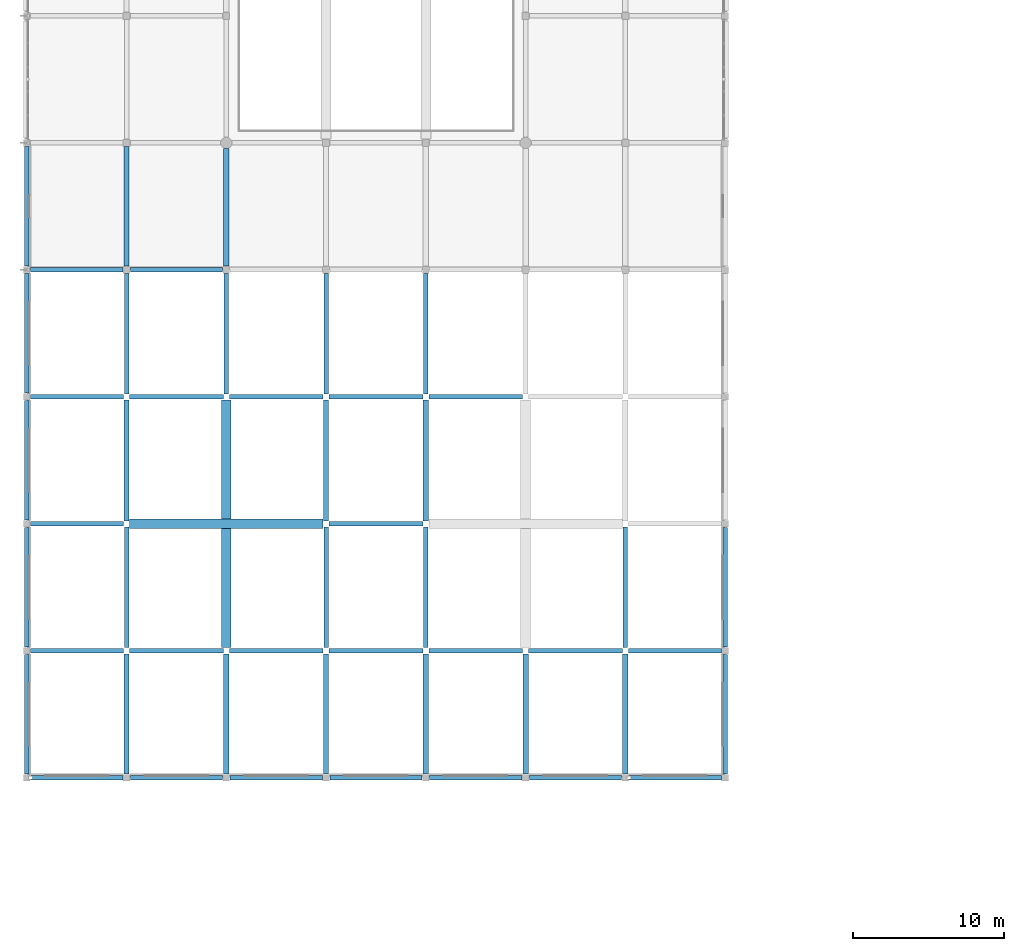
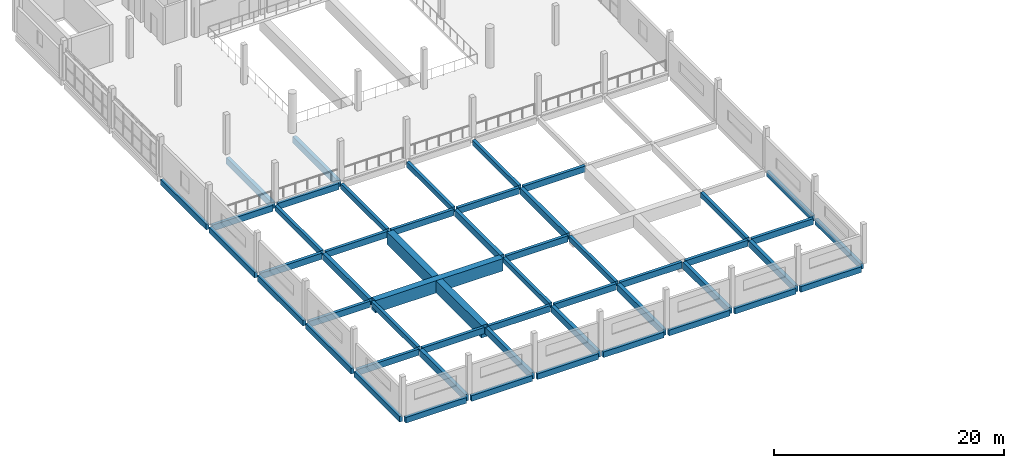
# One storey, part 3 of 74: 51 beams.
"""IFC4 building model written with IfcOpenShell, lengths in metres."""

from ifc_helpers import new_model, si_unit, direction, frame, origin, origin_2d, place, context, subcontext, project, spatial, rectangle, extrude, material, material_profile, profile_set, type_object, element, save


model = new_model("IFC4")

# Units and contexts
model_context = context("Model", 3, precision=1e-05, world=origin(), true_north=direction((0.0, 1.0)))
body_context = subcontext(model_context, "Body", "Model", "MODEL_VIEW")
ifc_project = project(units=[si_unit("LENGTHUNIT", "METRE"), si_unit("AREAUNIT", "SQUARE_METRE"), si_unit("VOLUMEUNIT", "CUBIC_METRE"), si_unit("PLANEANGLEUNIT", "RADIAN"), si_unit("MASSUNIT", "GRAM", prefix="KILO")], contexts=[model_context])

# Site, building, storey
site_placement = place(None, origin())
site = spatial("IfcSite", under=ifc_project, at=site_placement, CompositionType="ELEMENT")
building_placement = place(site_placement, origin())
building = spatial("IfcBuilding", under=site, at=building_placement, Name="Qaldarim Faculty of Natural and Applied Sciences", CompositionType="ELEMENT")
storey_placement = place(building_placement, frame((0.0, 0.0, 14.39990234375)))
storey = spatial("IfcBuildingStorey", under=building, at=storey_placement, Name="L03", CompositionType="ELEMENT", Elevation=14.39990234375)

# Beams
ifc_material_1 = material(Name="Concrete C40/50", Category="concrete")
ifc_material_profile_1 = material_profile(ifc_material_1, rectangle(XDim=0.300048828125, YDim=0.550048828125, at=origin_2d()), Name="RC-B300x550")
ifc_profile_set_1 = profile_set([ifc_material_profile_1], Name="Concrete C40/50")
beam_type_1 = type_object("IfcBeamType", Name="FloorBeam-RC300x550", PredefinedType="BEAM", material=ifc_profile_set_1)
beam_1_placement = place(storey_placement, frame((6.60009765625, 25.39990234375, -0.534912109375), z_axis=(0.0, 1.0, 0.0), x_axis=(-1.0, 0.0, 0.0)))
element("IfcBeam", 1, at=beam_1_placement, inside=storey, type_object=beam_type_1, Name="Beam RC-B300x550 L02 X02/Y04-Y05", PredefinedType="BEAM", context=body_context, shape_type="SweptSolid", body=[
    extrude(rectangle(XDim=0.300048828125, YDim=0.550048828125, at=origin_2d()), origin(), (0.0, 0.0, 1.0), 8.0),
])
for number, where, z_axis, x_axis, name in (
    (2, (6.60009765625, 42.199951171875, -0.534912109375), (0.0, 1.0, 0.0), (-1.0, 0.0, 0.0), "Beam RC-B300x550 L02 X02/Y06-Y07"),
    (3, (13.199951171875, 42.199951171875, -0.534912109375), (0.0, 1.0, 0.0), (-1.0, 0.0, 0.0), "Beam RC-B300x550 L02 X03/Y06-Y07"),
):
    element("IfcBeam", number, at=place(storey_placement, frame(where, z_axis=z_axis, x_axis=x_axis)), inside=storey, type_object=beam_type_1, Name=name, PredefinedType="BEAM", context=body_context, shape_type="SweptSolid", body=[
        extrude(rectangle(XDim=0.300048828125, YDim=0.550048828125, at=origin_2d()), origin(), (0.0, 0.0, 1.0), 7.949951171875),
    ])
beam_2_placement = place(storey_placement, frame((19.800048828125, 25.39990234375, -0.534912109375), z_axis=(0.0, 1.0, 0.0), x_axis=(-1.0, 0.0, 0.0)))
element("IfcBeam", 4, at=beam_2_placement, inside=storey, type_object=beam_type_1, Name="Beam RC-B300x550 L02 X04/Y04-Y05", PredefinedType="BEAM", context=body_context, shape_type="SweptSolid", body=[
    extrude(rectangle(XDim=0.300048828125, YDim=0.550048828125, at=origin_2d()), origin(), (0.0, 0.0, 1.0), 8.0),
])
beam_3_placement = place(storey_placement, frame((19.800048828125, 42.199951171875, -0.534912109375), z_axis=(0.0, 1.0, 0.0), x_axis=(-1.0, 0.0, 0.0)))
element("IfcBeam", 5, at=beam_3_placement, inside=storey, type_object=beam_type_1, Name="Beam RC-B300x550 L02 X04/Y06-Y07", PredefinedType="BEAM", context=body_context, shape_type="SweptSolid", body=[
    extrude(rectangle(XDim=0.300048828125, YDim=0.550048828125, at=origin_2d()), origin(), (0.0, 0.0, 1.0), 7.949951171875),
])
beam_4_placement = place(storey_placement, frame((26.39990234375, 25.39990234375, -0.534912109375), z_axis=(0.0, 1.0, 0.0), x_axis=(-1.0, 0.0, 0.0)))
element("IfcBeam", 6, at=beam_4_placement, inside=storey, type_object=beam_type_1, Name="Beam RC-B300x550 L02 X05/Y04-Y05", PredefinedType="BEAM", context=body_context, shape_type="SweptSolid", body=[
    extrude(rectangle(XDim=0.300048828125, YDim=0.550048828125, at=origin_2d()), origin(), (0.0, 0.0, 1.0), 8.0),
])
beam_5_placement = place(storey_placement, frame((26.39990234375, 42.199951171875, -0.534912109375), z_axis=(0.0, 1.0, 0.0), x_axis=(-1.0, 0.0, 0.0)))
element("IfcBeam", 7, at=beam_5_placement, inside=storey, type_object=beam_type_1, Name="Beam RC-B300x550 L02 X05/Y06-Y07", PredefinedType="BEAM", context=body_context, shape_type="SweptSolid", body=[
    extrude(rectangle(XDim=0.300048828125, YDim=0.550048828125, at=origin_2d()), origin(), (0.0, 0.0, 1.0), 7.949951171875),
])
beam_6_placement = place(storey_placement, frame((39.60009765625, 25.39990234375, -0.534912109375), z_axis=(0.0, 1.0, 0.0), x_axis=(-1.0, 0.0, 0.0)))
element("IfcBeam", 8, at=beam_6_placement, inside=storey, type_object=beam_type_1, Name="Beam RC-B300x550 L02 X07/Y04-Y05", PredefinedType="BEAM", context=body_context, shape_type="SweptSolid", body=[
    extrude(rectangle(XDim=0.300048828125, YDim=0.550048828125, at=origin_2d()), origin(), (0.0, 0.0, 1.0), 8.0),
])
ifc_material_profile_2 = material_profile(ifc_material_1, rectangle(XDim=0.300048828125, YDim=0.64990234375, at=origin_2d()), Name="RC-B300x650")
ifc_profile_set_2 = profile_set([ifc_material_profile_2], Name="Concrete C40/50")
beam_type_2 = type_object("IfcBeamType", Name="PrimaryBeam-RC300x650", PredefinedType="BEAM", material=ifc_profile_set_2)
beam_7_placement = place(storey_placement, frame((0.25, 25.199951171875, -0.5849609375), z_axis=(1.0, 0.0, 0.0), x_axis=(0.0, 1.0, 0.0)))
element("IfcBeam", 9, at=beam_7_placement, inside=storey, type_object=beam_type_2, Name="Beam RC-B300x650 L02 X01-X02/Y04", PredefinedType="BEAM", context=body_context, shape_type="SweptSolid", body=[
    extrude(rectangle(XDim=0.300048828125, YDim=0.64990234375, at=origin_2d()), origin(), (0.0, 0.0, 1.0), 6.14990234375),
])
beam_8_placement = place(storey_placement, frame((6.800048828125, 25.199951171875, -0.5849609375), z_axis=(1.0, 0.0, 0.0), x_axis=(0.0, 1.0, 0.0)))
element("IfcBeam", 10, at=beam_8_placement, inside=storey, type_object=beam_type_2, Name="Beam RC-B300x650 L02 X02-X03/Y04", PredefinedType="BEAM", context=body_context, shape_type="SweptSolid", body=[
    extrude(rectangle(XDim=0.300048828125, YDim=0.64990234375, at=origin_2d()), origin(), (0.0, 0.0, 1.0), 6.199951171875),
])
beam_9_placement = place(storey_placement, frame((13.39990234375, 25.199951171875, -0.5849609375), z_axis=(1.0, 0.0, 0.0), x_axis=(0.0, 1.0, 0.0)))
element("IfcBeam", 11, at=beam_9_placement, inside=storey, type_object=beam_type_2, Name="Beam RC-B300x650 L02 X03-X04/Y04", PredefinedType="BEAM", context=body_context, shape_type="SweptSolid", body=[
    extrude(rectangle(XDim=0.300048828125, YDim=0.64990234375, at=origin_2d()), origin(), (0.0, 0.0, 1.0), 6.2001953125),
])
for number, where, z_axis, x_axis, name in (
    (12, (20.0, 25.199951171875, -0.5849609375), (1.0, 0.0, 0.0), (0.0, 1.0, 0.0), "Beam RC-B300x650 L02 X04-X05/Y04"),
    (13, (26.60009765625, 25.199951171875, -0.5849609375), (1.0, 0.0, 0.0), (0.0, 1.0, 0.0), "Beam RC-B300x650 L02 X05-X06/Y04"),
    (14, (33.199951171875, 25.199951171875, -0.5849609375), (1.0, 0.0, 0.0), (0.0, 1.0, 0.0), "Beam RC-B300x650 L02 X06-X07/Y04"),
):
    element("IfcBeam", number, at=place(storey_placement, frame(where, z_axis=z_axis, x_axis=x_axis)), inside=storey, type_object=beam_type_2, Name=name, PredefinedType="BEAM", context=body_context, shape_type="SweptSolid", body=[
        extrude(rectangle(XDim=0.300048828125, YDim=0.64990234375, at=origin_2d()), origin(), (0.0, 0.0, 1.0), 6.199951171875),
    ])
for number, where, z_axis, x_axis, name in (
    (15, (39.800048828125, 25.199951171875, -0.5849609375), (1.0, 0.0, 0.0), (0.0, 1.0, 0.0), "Beam RC-B300x650 L02 X07-X08/Y04"),
    (16, (0.25, 33.60009765625, -0.5849609375), (1.0, 0.0, 0.0), (0.0, 1.0, 0.0), "Beam RC-B300x650 L02 X01-X02/Y05"),
):
    element("IfcBeam", number, at=place(storey_placement, frame(where, z_axis=z_axis, x_axis=x_axis)), inside=storey, type_object=beam_type_2, Name=name, PredefinedType="BEAM", context=body_context, shape_type="SweptSolid", body=[
        extrude(rectangle(XDim=0.300048828125, YDim=0.64990234375, at=origin_2d()), origin(), (0.0, 0.0, 1.0), 6.14990234375),
    ])
beam_10_placement = place(storey_placement, frame((20.0, 33.60009765625, -0.5849609375), z_axis=(1.0, 0.0, 0.0), x_axis=(0.0, 1.0, 0.0)))
element("IfcBeam", 17, at=beam_10_placement, inside=storey, type_object=beam_type_2, Name="Beam RC-B300x650 L02 X04-X05/Y05", PredefinedType="BEAM", context=body_context, shape_type="SweptSolid", body=[
    extrude(rectangle(XDim=0.300048828125, YDim=0.64990234375, at=origin_2d()), origin(), (0.0, 0.0, 1.0), 6.199951171875),
])
beam_11_placement = place(storey_placement, frame((0.25, 42.0, -0.5849609375), z_axis=(1.0, 0.0, 0.0), x_axis=(0.0, 1.0, 0.0)))
element("IfcBeam", 18, at=beam_11_placement, inside=storey, type_object=beam_type_2, Name="Beam RC-B300x650 L02 X01-X02/Y06", PredefinedType="BEAM", context=body_context, shape_type="SweptSolid", body=[
    extrude(rectangle(XDim=0.300048828125, YDim=0.64990234375, at=origin_2d()), origin(), (0.0, 0.0, 1.0), 6.14990234375),
])
beam_12_placement = place(storey_placement, frame((6.800048828125, 42.0, -0.5849609375), z_axis=(1.0, 0.0, 0.0), x_axis=(0.0, 1.0, 0.0)))
element("IfcBeam", 19, at=beam_12_placement, inside=storey, type_object=beam_type_2, Name="Beam RC-B300x650 L02 X02-X03/Y06", PredefinedType="BEAM", context=body_context, shape_type="SweptSolid", body=[
    extrude(rectangle(XDim=0.300048828125, YDim=0.64990234375, at=origin_2d()), origin(), (0.0, 0.0, 1.0), 6.199951171875),
])
beam_13_placement = place(storey_placement, frame((13.39990234375, 42.0, -0.5849609375), z_axis=(1.0, 0.0, 0.0), x_axis=(0.0, 1.0, 0.0)))
element("IfcBeam", 20, at=beam_13_placement, inside=storey, type_object=beam_type_2, Name="Beam RC-B300x650 L02 X03-X04/Y06", PredefinedType="BEAM", context=body_context, shape_type="SweptSolid", body=[
    extrude(rectangle(XDim=0.300048828125, YDim=0.64990234375, at=origin_2d()), origin(), (0.0, 0.0, 1.0), 6.2001953125),
])
for number, where, z_axis, x_axis, name in (
    (21, (20.0, 42.0, -0.5849609375), (1.0, 0.0, 0.0), (0.0, 1.0, 0.0), "Beam RC-B300x650 L02 X04-X05/Y06"),
    (22, (26.60009765625, 42.0, -0.5849609375), (1.0, 0.0, 0.0), (0.0, 1.0, 0.0), "Beam RC-B300x650 L02 X05-X06/Y06"),
):
    element("IfcBeam", number, at=place(storey_placement, frame(where, z_axis=z_axis, x_axis=x_axis)), inside=storey, type_object=beam_type_2, Name=name, PredefinedType="BEAM", context=body_context, shape_type="SweptSolid", body=[
        extrude(rectangle(XDim=0.300048828125, YDim=0.64990234375, at=origin_2d()), origin(), (0.0, 0.0, 1.0), 6.199951171875),
    ])
beam_14_placement = place(storey_placement, frame((0.25, 50.39990234375, -0.5849609375), z_axis=(1.0, 0.0, 0.0), x_axis=(0.0, 1.0, 0.0)))
element("IfcBeam", 23, at=beam_14_placement, inside=storey, type_object=beam_type_2, Name="Beam RC-B300x650 L02 X01-X02/Y07", PredefinedType="BEAM", context=body_context, shape_type="SweptSolid", body=[
    extrude(rectangle(XDim=0.300048828125, YDim=0.64990234375, at=origin_2d()), origin(), (0.0, 0.0, 1.0), 6.10009765625),
])
beam_15_placement = place(storey_placement, frame((6.85009765625, 50.39990234375, -0.5849609375), z_axis=(1.0, 0.0, 0.0), x_axis=(0.0, 1.0, 0.0)))
element("IfcBeam", 24, at=beam_15_placement, inside=storey, type_object=beam_type_2, Name="Beam RC-B300x650 L02 X02-X03/Y07", PredefinedType="BEAM", context=body_context, shape_type="SweptSolid", body=[
    extrude(rectangle(XDim=0.300048828125, YDim=0.64990234375, at=origin_2d()), origin(), (0.0, 0.0, 1.0), 6.099853515625),
])
ifc_material_profile_3 = material_profile(ifc_material_1, rectangle(XDim=0.35009765625, YDim=0.699951171875, at=origin_2d()), Name="RC-B350x700")
ifc_profile_set_3 = profile_set([ifc_material_profile_3], Name="Concrete C40/50")
beam_type_3 = type_object("IfcBeamType", Name="PrimaryGirder-RC350x700", PredefinedType="BEAM", material=ifc_profile_set_3)
beam_16_placement = place(storey_placement, frame((6.60009765625, 17.050048828125, -0.60986328125), z_axis=(0.0, 1.0, 0.0), x_axis=(-1.0, 0.0, 0.0)))
element("IfcBeam", 25, at=beam_16_placement, inside=storey, type_object=beam_type_3, Name="Beam RC-B350x700 L02 X02/Y03-Y04", PredefinedType="BEAM", context=body_context, shape_type="SweptSolid", body=[
    extrude(rectangle(XDim=0.35009765625, YDim=0.699951171875, at=origin_2d()), origin(), (0.0, 0.0, 1.0), 7.949951171875),
])
beam_17_placement = place(storey_placement, frame((6.60009765625, 33.800048828125, -0.60986328125), z_axis=(0.0, 1.0, 0.0), x_axis=(-1.0, 0.0, 0.0)))
element("IfcBeam", 26, at=beam_17_placement, inside=storey, type_object=beam_type_3, Name="Beam RC-B350x700 L02 X02/Y05-Y06", PredefinedType="BEAM", context=body_context, shape_type="SweptSolid", body=[
    extrude(rectangle(XDim=0.35009765625, YDim=0.699951171875, at=origin_2d()), origin(), (0.0, 0.0, 1.0), 8.0),
])
beam_18_placement = place(storey_placement, frame((6.60009765625, 50.64990234375, -0.60986328125), z_axis=(0.0, 1.0, 0.0), x_axis=(-1.0, 0.0, 0.0)))
element("IfcBeam", 27, at=beam_18_placement, inside=storey, type_object=beam_type_3, Name="Beam RC-B350x700 L02 X02/Y07-Y08", PredefinedType="BEAM", context=body_context, shape_type="SweptSolid", body=[
    extrude(rectangle(XDim=0.35009765625, YDim=0.699951171875, at=origin_2d()), origin(), (0.0, 0.0, 1.0), 7.900146484375),
])
beam_19_placement = place(storey_placement, frame((13.199951171875, 17.050048828125, -0.60986328125), z_axis=(0.0, 1.0, 0.0), x_axis=(-1.0, 0.0, 0.0)))
element("IfcBeam", 28, at=beam_19_placement, inside=storey, type_object=beam_type_3, Name="Beam RC-B350x700 L02 X03/Y03-Y04", PredefinedType="BEAM", context=body_context, shape_type="SweptSolid", body=[
    extrude(rectangle(XDim=0.35009765625, YDim=0.699951171875, at=origin_2d()), origin(), (0.0, 0.0, 1.0), 7.949951171875),
])
beam_20_placement = place(storey_placement, frame((13.199951171875, 50.64990234375, -0.60986328125), z_axis=(0.0, 1.0, 0.0), x_axis=(-1.0, 0.0, 0.0)))
element("IfcBeam", 29, at=beam_20_placement, inside=storey, type_object=beam_type_3, Name="Beam RC-B350x700 L02 X03/Y07-Y08", PredefinedType="BEAM", context=body_context, shape_type="SweptSolid", body=[
    extrude(rectangle(XDim=0.35009765625, YDim=0.699951171875, at=origin_2d()), origin(), (0.0, 0.0, 1.0), 7.775146484375),
])
beam_21_placement = place(storey_placement, frame((19.800048828125, 17.050048828125, -0.60986328125), z_axis=(0.0, 1.0, 0.0), x_axis=(-1.0, 0.0, 0.0)))
element("IfcBeam", 30, at=beam_21_placement, inside=storey, type_object=beam_type_3, Name="Beam RC-B350x700 L02 X04/Y03-Y04", PredefinedType="BEAM", context=body_context, shape_type="SweptSolid", body=[
    extrude(rectangle(XDim=0.35009765625, YDim=0.699951171875, at=origin_2d()), origin(), (0.0, 0.0, 1.0), 7.949951171875),
])
beam_22_placement = place(storey_placement, frame((19.800048828125, 33.800048828125, -0.60986328125), z_axis=(0.0, 1.0, 0.0), x_axis=(-1.0, 0.0, 0.0)))
element("IfcBeam", 31, at=beam_22_placement, inside=storey, type_object=beam_type_3, Name="Beam RC-B350x700 L02 X04/Y05-Y06", PredefinedType="BEAM", context=body_context, shape_type="SweptSolid", body=[
    extrude(rectangle(XDim=0.35009765625, YDim=0.699951171875, at=origin_2d()), origin(), (0.0, 0.0, 1.0), 8.0),
])
beam_23_placement = place(storey_placement, frame((26.39990234375, 17.050048828125, -0.60986328125), z_axis=(0.0, 1.0, 0.0), x_axis=(-1.0, 0.0, 0.0)))
element("IfcBeam", 32, at=beam_23_placement, inside=storey, type_object=beam_type_3, Name="Beam RC-B350x700 L02 X05/Y03-Y04", PredefinedType="BEAM", context=body_context, shape_type="SweptSolid", body=[
    extrude(rectangle(XDim=0.35009765625, YDim=0.699951171875, at=origin_2d()), origin(), (0.0, 0.0, 1.0), 7.949951171875),
])
beam_24_placement = place(storey_placement, frame((26.39990234375, 33.800048828125, -0.60986328125), z_axis=(0.0, 1.0, 0.0), x_axis=(-1.0, 0.0, 0.0)))
element("IfcBeam", 33, at=beam_24_placement, inside=storey, type_object=beam_type_3, Name="Beam RC-B350x700 L02 X05/Y05-Y06", PredefinedType="BEAM", context=body_context, shape_type="SweptSolid", body=[
    extrude(rectangle(XDim=0.35009765625, YDim=0.699951171875, at=origin_2d()), origin(), (0.0, 0.0, 1.0), 8.0),
])
for number, where, z_axis, x_axis, name in (
    (34, (33.0, 17.050048828125, -0.60986328125), (0.0, 1.0, 0.0), (-1.0, 0.0, 0.0), "Beam RC-B350x700 L02 X06/Y03-Y04"),
    (35, (39.60009765625, 17.050048828125, -0.60986328125), (0.0, 1.0, 0.0), (-1.0, 0.0, 0.0), "Beam RC-B350x700 L02 X07/Y03-Y04"),
):
    element("IfcBeam", number, at=place(storey_placement, frame(where, z_axis=z_axis, x_axis=x_axis)), inside=storey, type_object=beam_type_3, Name=name, PredefinedType="BEAM", context=body_context, shape_type="SweptSolid", body=[
        extrude(rectangle(XDim=0.35009765625, YDim=0.699951171875, at=origin_2d()), origin(), (0.0, 0.0, 1.0), 7.949951171875),
    ])
ifc_material_2 = material(Name="Precast concrete C40/50", Category="concrete")
ifc_material_profile_4 = material_profile(ifc_material_2, rectangle(XDim=0.300048828125, YDim=0.60009765625, at=origin_2d()), Name="RC-SP300x600")
ifc_profile_set_4 = profile_set([ifc_material_profile_4], Name="Precast concrete C40/50")
beam_type_4 = type_object("IfcBeamType", Name="SpandrelBeam-RC300x600", PredefinedType="SPANDREL", material=ifc_profile_set_4)
beam_25_placement = place(storey_placement, frame((0.25, 16.800048828125, -0.559814453125), z_axis=(1.0, 0.0, 0.0), x_axis=(0.0, 1.0, 0.0)))
element("IfcBeam", 36, at=beam_25_placement, inside=storey, type_object=beam_type_4, Name="Beam RC-SP300x600 L02 X01-X02/Y03", PredefinedType="SPANDREL", context=body_context, shape_type="SweptSolid", body=[
    extrude(rectangle(XDim=0.300048828125, YDim=0.60009765625, at=origin_2d()), origin(), (0.0, 0.0, 1.0), 6.10009765625),
])
beam_26_placement = place(storey_placement, frame((6.85009765625, 16.800048828125, -0.559814453125), z_axis=(1.0, 0.0, 0.0), x_axis=(0.0, 1.0, 0.0)))
element("IfcBeam", 37, at=beam_26_placement, inside=storey, type_object=beam_type_4, Name="Beam RC-SP300x600 L02 X02-X03/Y03", PredefinedType="SPANDREL", context=body_context, shape_type="SweptSolid", body=[
    extrude(rectangle(XDim=0.300048828125, YDim=0.60009765625, at=origin_2d()), origin(), (0.0, 0.0, 1.0), 6.099853515625),
])
beam_27_placement = place(storey_placement, frame((13.449951171875, 16.800048828125, -0.559814453125), z_axis=(1.0, 0.0, 0.0), x_axis=(0.0, 1.0, 0.0)))
element("IfcBeam", 38, at=beam_27_placement, inside=storey, type_object=beam_type_4, Name="Beam RC-SP300x600 L02 X03-X04/Y03", PredefinedType="SPANDREL", context=body_context, shape_type="SweptSolid", body=[
    extrude(rectangle(XDim=0.300048828125, YDim=0.60009765625, at=origin_2d()), origin(), (0.0, 0.0, 1.0), 6.10009765625),
])
beam_28_placement = place(storey_placement, frame((20.050048828125, 16.800048828125, -0.559814453125), z_axis=(1.0, 0.0, 0.0), x_axis=(0.0, 1.0, 0.0)))
element("IfcBeam", 39, at=beam_28_placement, inside=storey, type_object=beam_type_4, Name="Beam RC-SP300x600 L02 X04-X05/Y03", PredefinedType="SPANDREL", context=body_context, shape_type="SweptSolid", body=[
    extrude(rectangle(XDim=0.300048828125, YDim=0.60009765625, at=origin_2d()), origin(), (0.0, 0.0, 1.0), 6.099853515625),
])
for number, where, z_axis, x_axis, name in (
    (40, (26.64990234375, 16.800048828125, -0.559814453125), (1.0, 0.0, 0.0), (0.0, 1.0, 0.0), "Beam RC-SP300x600 L02 X05-X06/Y03"),
    (41, (33.25, 16.800048828125, -0.559814453125), (1.0, 0.0, 0.0), (0.0, 1.0, 0.0), "Beam RC-SP300x600 L02 X06-X07/Y03"),
):
    element("IfcBeam", number, at=place(storey_placement, frame(where, z_axis=z_axis, x_axis=x_axis)), inside=storey, type_object=beam_type_4, Name=name, PredefinedType="SPANDREL", context=body_context, shape_type="SweptSolid", body=[
        extrude(rectangle(XDim=0.300048828125, YDim=0.60009765625, at=origin_2d()), origin(), (0.0, 0.0, 1.0), 6.10009765625),
    ])
beam_29_placement = place(storey_placement, frame((39.85009765625, 16.800048828125, -0.559814453125), z_axis=(1.0, 0.0, 0.0), x_axis=(0.0, 1.0, 0.0)))
element("IfcBeam", 42, at=beam_29_placement, inside=storey, type_object=beam_type_4, Name="Beam RC-SP300x600 L02 X07-X08/Y03", PredefinedType="SPANDREL", context=body_context, shape_type="SweptSolid", body=[
    extrude(rectangle(XDim=0.300048828125, YDim=0.60009765625, at=origin_2d()), origin(), (0.0, 0.0, 1.0), 6.099853515625),
])
beam_30_placement = place(storey_placement, frame((0.0, 17.050048828125, -0.559814453125), z_axis=(0.0, 1.0, 0.0), x_axis=(-1.0, 0.0, 0.0)))
element("IfcBeam", 43, at=beam_30_placement, inside=storey, type_object=beam_type_4, Name="Beam RC-SP300x600 L02 X01/Y03-Y04", PredefinedType="SPANDREL", context=body_context, shape_type="SweptSolid", body=[
    extrude(rectangle(XDim=0.300048828125, YDim=0.60009765625, at=origin_2d()), origin(), (0.0, 0.0, 1.0), 7.89990234375),
])
beam_31_placement = place(storey_placement, frame((0.0, 25.449951171875, -0.559814453125), z_axis=(0.0, 1.0, 0.0), x_axis=(-1.0, 0.0, 0.0)))
element("IfcBeam", 44, at=beam_31_placement, inside=storey, type_object=beam_type_4, Name="Beam RC-SP300x600 L02 X01/Y04-Y05", PredefinedType="SPANDREL", context=body_context, shape_type="SweptSolid", body=[
    extrude(rectangle(XDim=0.300048828125, YDim=0.60009765625, at=origin_2d()), origin(), (0.0, 0.0, 1.0), 7.900146484375),
])
for number, where, z_axis, x_axis, name in (
    (45, (0.0, 33.85009765625, -0.559814453125), (0.0, 1.0, 0.0), (-1.0, 0.0, 0.0), "Beam RC-SP300x600 L02 X01/Y05-Y06"),
    (46, (0.0, 42.25, -0.559814453125), (0.0, 1.0, 0.0), (-1.0, 0.0, 0.0), "Beam RC-SP300x600 L02 X01/Y06-Y07"),
):
    element("IfcBeam", number, at=place(storey_placement, frame(where, z_axis=z_axis, x_axis=x_axis)), inside=storey, type_object=beam_type_4, Name=name, PredefinedType="SPANDREL", context=body_context, shape_type="SweptSolid", body=[
        extrude(rectangle(XDim=0.300048828125, YDim=0.60009765625, at=origin_2d()), origin(), (0.0, 0.0, 1.0), 7.89990234375),
    ])
beam_32_placement = place(storey_placement, frame((0.0, 50.64990234375, -0.559814453125), z_axis=(0.0, 1.0, 0.0), x_axis=(-1.0, 0.0, 0.0)))
element("IfcBeam", 47, at=beam_32_placement, inside=storey, type_object=beam_type_4, Name="Beam RC-SP300x600 L02 X01/Y07-Y08", PredefinedType="SPANDREL", context=body_context, shape_type="SweptSolid", body=[
    extrude(rectangle(XDim=0.300048828125, YDim=0.60009765625, at=origin_2d()), origin(), (0.0, 0.0, 1.0), 7.900146484375),
])
beam_33_placement = place(storey_placement, frame((46.199951171875, 17.050048828125, -0.559814453125), z_axis=(0.0, 1.0, 0.0), x_axis=(-1.0, 0.0, 0.0)))
element("IfcBeam", 48, at=beam_33_placement, inside=storey, type_object=beam_type_4, Name="Beam RC-SP300x600 L02 X08/Y03-Y04", PredefinedType="SPANDREL", context=body_context, shape_type="SweptSolid", body=[
    extrude(rectangle(XDim=0.300048828125, YDim=0.60009765625, at=origin_2d()), origin(), (0.0, 0.0, 1.0), 7.89990234375),
])
beam_34_placement = place(storey_placement, frame((46.199951171875, 25.449951171875, -0.559814453125), z_axis=(0.0, 1.0, 0.0), x_axis=(-1.0, 0.0, 0.0)))
element("IfcBeam", 49, at=beam_34_placement, inside=storey, type_object=beam_type_4, Name="Beam RC-SP300x600 L02 X08/Y04-Y05", PredefinedType="SPANDREL", context=body_context, shape_type="SweptSolid", body=[
    extrude(rectangle(XDim=0.300048828125, YDim=0.60009765625, at=origin_2d()), origin(), (0.0, 0.0, 1.0), 7.900146484375),
])
ifc_material_3 = material(Name="Concrete C50/60", Category="concrete")
ifc_material_profile_5 = material_profile(ifc_material_3, rectangle(XDim=0.64990234375, YDim=1.300048828125, at=origin_2d()), Name="RC-TG650x1300")
ifc_profile_set_5 = profile_set([ifc_material_profile_5], Name="Concrete C50/60")
beam_type_5 = type_object("IfcBeamType", Name="TransferGirder-RC650x1300", PredefinedType="BEAM", material=ifc_profile_set_5)
beam_35_placement = place(storey_placement, frame((6.800048828125, 33.60009765625, -0.909912109375), z_axis=(1.0, 0.0, 0.0), x_axis=(0.0, 1.0, 0.0)))
element("IfcBeam", 50, at=beam_35_placement, inside=storey, type_object=beam_type_5, Name="Long-span girder L02 Y05 X02-X04", PredefinedType="BEAM", context=body_context, shape_type="SweptSolid", body=[
    extrude(rectangle(XDim=0.64990234375, YDim=1.300048828125, at=origin_2d()), origin(), (0.0, 0.0, 1.0), 12.800048828125),
])
beam_36_placement = place(storey_placement, frame((13.199951171875, 25.39990234375, -0.909912109375), z_axis=(0.0, 1.0, 0.0), x_axis=(-1.0, 0.0, 0.0)))
element("IfcBeam", 51, at=beam_36_placement, inside=storey, type_object=beam_type_5, Name="Long-span girder L02 X03 Y04-Y06", PredefinedType="BEAM", context=body_context, shape_type="SweptSolid", body=[
    extrude(rectangle(XDim=0.64990234375, YDim=1.300048828125, at=origin_2d()), origin(), (0.0, 0.0, 1.0), 16.400146484375),
])

save(model, "model.ifc")
